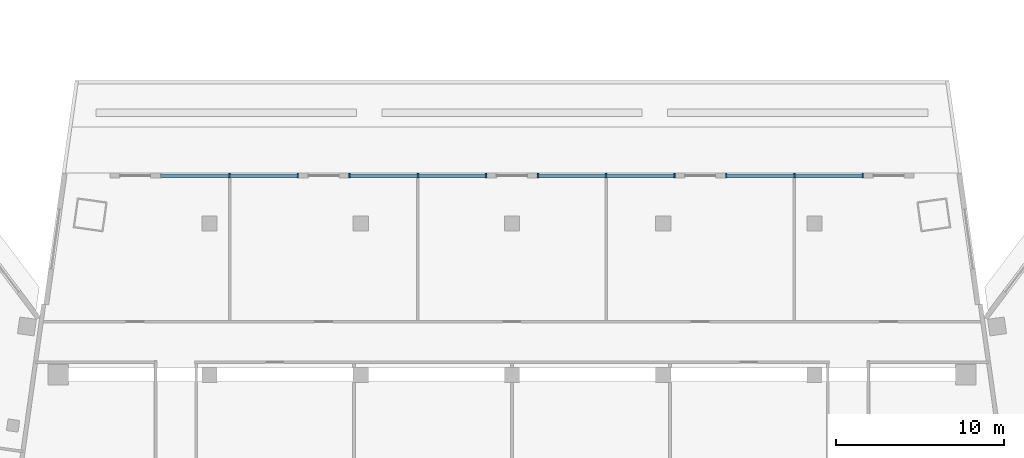
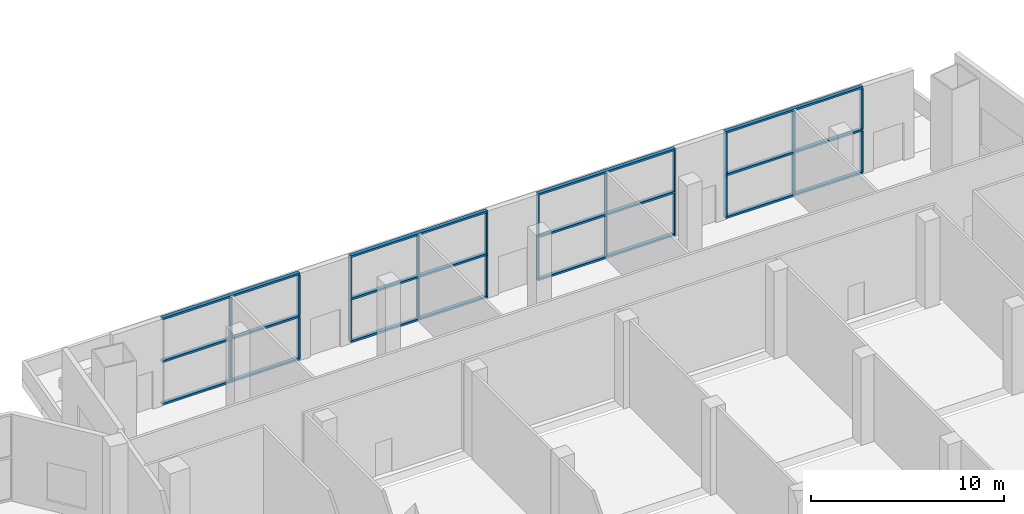
# One storey, part 4 of 24: 34 members, 4 elements without a shape of their own.
"""IFC4 building model written with IfcOpenShell, lengths in metres."""

import ifcopenshell
import ifcopenshell.guid

model = None  # the IFC model being written
_history = None  # IfcOwnerHistory: only IFC2X3 demands one
_inside = {}  # id of a spatial element -> (the spatial element, [elements in it])
_under = {}  # id of a project, library or spatial element -> (it, [spatial elements below it])
_declared = {}  # id of a project -> (the project, [libraries it declares])
_typed = {}  # id of a type object -> (the type object, [elements of that type])
_made_of = {}  # id of a material, layer set ... -> (it, [elements and type objects made of it])


def new_model(schema):
    """Start an empty IFC model of exactly this schema.

    Asked for "IFC4X3", IfcOpenShell would pick the latest addendum, in which some entities
    have other attributes; the version numbers below select the first issue.
    IFC2X3 requires an IfcOwnerHistory on every rooted entity: one is made here for all.
    """
    global model, _history
    if schema == "IFC4X3":
        model = ifcopenshell.file(schema_version=(4, 3, 0, 0))
    else:
        model = ifcopenshell.file(schema=schema)
    _inside.clear()
    _under.clear()
    _declared.clear()
    _typed.clear()
    _made_of.clear()
    _history = None
    if model.schema == "IFC2X3":
        org = make("IfcOrganization", Name="unknown")
        user = make(
            "IfcPersonAndOrganization",
            ThePerson=make("IfcPerson", FamilyName="unknown"),
            TheOrganization=org,
        )
        app = make(
            "IfcApplication",
            ApplicationDeveloper=org,
            Version="unknown",
            ApplicationFullName="unknown",
            ApplicationIdentifier="unknown",
        )
        _history = make(
            "IfcOwnerHistory",
            OwningUser=user,
            OwningApplication=app,
            ChangeAction="ADDED",
            CreationDate=0,
        )
    return model


def make(cls, **values):
    """One entity of the class cls with the attributes given. An attribute that is None is left unset."""
    return model.create_entity(
        cls, **{name: value for name, value in values.items() if value is not None}
    )


def rooted(cls, **values):
    """An entity with a GlobalId (a new one), such as an element, a storey or a relation."""
    return make(cls, GlobalId=ifcopenshell.guid.new(), OwnerHistory=_history, **values)


def si_unit(unit_type, name, prefix=None):
    """IfcSIUnit, for example si_unit("LENGTHUNIT", "METRE", prefix="MILLI")."""
    return make("IfcSIUnit", UnitType=unit_type, Prefix=prefix, Name=name)


def assignment(units):
    """IfcUnitAssignment: the units of a project."""
    return None if units is None else make("IfcUnitAssignment", Units=units)


def point(xyz):
    """IfcCartesianPoint."""
    return None if xyz is None else make("IfcCartesianPoint", Coordinates=xyz)


def direction(xyz):
    """IfcDirection."""
    return None if xyz is None else make("IfcDirection", DirectionRatios=xyz)


def frame(location, z_axis=None, x_axis=None):
    """IfcAxis2Placement3D, a coordinate frame: its origin and axes. An axis left out is left unset."""
    return make(
        "IfcAxis2Placement3D",
        Location=point(location),
        Axis=direction(z_axis),
        RefDirection=direction(x_axis),
    )


def frame_2d(location, x_axis=None):
    """IfcAxis2Placement2D, a coordinate frame in the plane: its origin and x axis."""
    return make(
        "IfcAxis2Placement2D", Location=point(location), RefDirection=direction(x_axis)
    )


def origin():
    """The frame at (0, 0, 0) with its axes left unset."""
    return frame((0.0, 0.0, 0.0))


def origin_2d():
    """The frame at (0, 0) in the plane with its x axis left unset."""
    return frame_2d((0.0, 0.0))


def place(relative_to, where):
    """IfcLocalPlacement: puts the frame where relative to a parent placement (None: the world)."""
    return make(
        "IfcLocalPlacement", PlacementRelTo=relative_to, RelativePlacement=where
    )


def context(
    kind, dimensions, precision=None, world=None, true_north=None, identifier=None
):
    """IfcGeometricRepresentationContext, for example the 3D "Model" context."""
    return make(
        "IfcGeometricRepresentationContext",
        ContextIdentifier=identifier,
        ContextType=kind,
        CoordinateSpaceDimension=dimensions,
        Precision=precision,
        WorldCoordinateSystem=world,
        TrueNorth=true_north,
    )


def subcontext(parent, identifier, kind, view, scale=None):
    """IfcGeometricRepresentationSubContext, for example "Body" below "Model"."""
    return make(
        "IfcGeometricRepresentationSubContext",
        ContextIdentifier=identifier,
        ContextType=kind,
        ParentContext=parent,
        TargetScale=scale,
        TargetView=view,
    )


def project(units=None, contexts=None):
    """IfcProject with its units and contexts."""
    return rooted(
        "IfcProject",
        Name="project",
        RepresentationContexts=contexts,
        UnitsInContext=assignment(units),
    )


def spatial(cls, under=None, at=None, **own):
    """A site, building, storey or space (cls), placed at a placement, below another one or the project."""
    s = rooted(cls, ObjectPlacement=at, **own)
    if under is not None:
        _under.setdefault(under.id(), (under, []))[1].append(s)
    return s


def profile(cls, at=None, kind="AREA", **sizes):
    """A parametric profile (cls). Its sizes go by their IFC names, for example OverallWidth=200.0."""
    return make(cls, ProfileType=kind, Position=at, **sizes)


def rectangle(**sizes):
    """IfcRectangleProfileDef."""
    return profile("IfcRectangleProfileDef", **sizes)


def extrude(swept, where, along, depth):
    """IfcExtrudedAreaSolid: the profile swept, set in the frame where, extruded along a direction by depth."""
    return make(
        "IfcExtrudedAreaSolid",
        SweptArea=swept,
        Position=where,
        ExtrudedDirection=direction(along),
        Depth=depth,
    )


def shape(context_of_items, identifier, shape_type, items):
    """IfcShapeRepresentation: the items that make up one representation, for example the "Body"."""
    return make(
        "IfcShapeRepresentation",
        ContextOfItems=context_of_items,
        RepresentationIdentifier=identifier,
        RepresentationType=shape_type,
        Items=items,
    )


def material(Name=None, Category=None):
    """IfcMaterial."""
    return make("IfcMaterial", Name=Name, Category=Category)


def material_profile(
    of_material, cross_section, Name=None, Category=None, Priority=None
):
    """IfcMaterialProfile: a cross section and its material."""
    return make(
        "IfcMaterialProfile",
        Name=Name,
        Material=of_material,
        Profile=cross_section,
        Priority=Priority,
        Category=Category,
    )


def profile_set(profiles, Name=None, composite=None):
    """IfcMaterialProfileSet."""
    return make(
        "IfcMaterialProfileSet",
        Name=Name,
        MaterialProfiles=profiles,
        CompositeProfile=composite,
    )


def made_of(thing, what):
    """Note that an element or type object is made of a material, layer set ...; save() writes the relation."""
    if what is not None:
        _made_of.setdefault(what.id(), (what, []))[1].append(thing)
    return thing


def type_object(cls, material=None, **own):
    """A type object (cls), such as IfcWallType, which elements share."""
    return made_of(rooted(cls, **own), material)


def element(
    cls,
    number,
    at=None,
    inside=None,
    cuts=None,
    type_object=None,
    material=None,
    context=None,
    identifier="Body",
    shape_type=None,
    held_by="IfcProductDefinitionShape",
    body=None,
    shapes=None,
    **own,
):
    """One element of the class cls, such as IfcWall. Its Tag is "e" and its number.

    at: its placement. inside: the storey or other place that contains it. cuts: it is an
    opening in that element (IfcRelVoidsElement). A single representation is given by context,
    identifier, shape_type and body (its items); several are given by shapes. held_by: the class
    of the entity that holds the representations. save() writes the other relations.
    """
    e = rooted(cls, Tag="e%d" % number, ObjectPlacement=at, **own)
    if body is not None:
        shapes = [shape(context, identifier, shape_type, body)]
    if shapes is not None:
        e.Representation = make(held_by, Representations=shapes)
    if inside is not None:
        _inside.setdefault(inside.id(), (inside, []))[1].append(e)
    if cuts is not None:
        rooted(
            "IfcRelVoidsElement", RelatingBuildingElement=cuts, RelatedOpeningElement=e
        )
    if type_object is not None:
        _typed.setdefault(type_object.id(), (type_object, []))[1].append(e)
    return made_of(e, material)


def aggregate(whole, parts):
    """IfcRelAggregates: a whole, such as a stair, and the parts it consists of."""
    return rooted("IfcRelAggregates", RelatingObject=whole, RelatedObjects=parts)


def save(model, path):
    """Write the relations noted so far, then the file.

    IfcRelAggregates (storeys below a building ...), IfcRelContainedInSpatialStructure (elements
    in a storey), IfcRelDefinesByType, IfcRelAssociatesMaterial and IfcRelDeclares: one each for
    every whole, place, type object, material and project.
    """
    for whole, parts in _under.values():
        aggregate(whole, parts)
    for where, things in _inside.values():
        rooted(
            "IfcRelContainedInSpatialStructure",
            RelatedElements=things,
            RelatingStructure=where,
        )
    for kind, things in _typed.values():
        rooted("IfcRelDefinesByType", RelatedObjects=things, RelatingType=kind)
    for what, things in _made_of.values():
        rooted("IfcRelAssociatesMaterial", RelatedObjects=things, RelatingMaterial=what)
    for by, libraries in _declared.values():
        rooted("IfcRelDeclares", RelatingContext=by, RelatedDefinitions=libraries)
    model.write(path)


model = new_model("IFC4")

# Units and contexts
model_context = context("Model", 3, precision=1e-05, world=origin(), true_north=direction((0.0, 1.0)))
body_context = subcontext(model_context, "Body", "Model", "MODEL_VIEW")
ifc_project = project(units=[si_unit("LENGTHUNIT", "METRE"), si_unit("AREAUNIT", "SQUARE_METRE"), si_unit("VOLUMEUNIT", "CUBIC_METRE"), si_unit("PLANEANGLEUNIT", "RADIAN"), si_unit("MASSUNIT", "GRAM", prefix="KILO")], contexts=[model_context])

# Site, building, storey
site_placement = place(None, origin())
site = spatial("IfcSite", under=ifc_project, at=site_placement, CompositionType="ELEMENT")
building_placement = place(site_placement, origin())
building = spatial("IfcBuilding", under=site, at=building_placement, Name="Mirante Cascada Hotel Towers", CompositionType="ELEMENT")
storey_placement = place(building_placement, frame((0.0, 0.0, 17.5)))
storey = spatial("IfcBuildingStorey", under=building, at=storey_placement, Name="L02", CompositionType="ELEMENT", Elevation=17.5)

# Curtain wall, members
ifc_material_1 = material(Name="Aluminium mullion and transom frame with clear laminated glass", Category="aluminium")
curtain_wall_type = type_object("IfcCurtainWallType", Name="Podium curtain wall ECW3", PredefinedType="NOTDEFINED", material=ifc_material_1)
curtain_wall_1_placement = place(storey_placement, origin())
curtain_wall_1 = element("IfcCurtainWall", 1, at=curtain_wall_1_placement, inside=storey, type_object=curtain_wall_type, Name="Podium curtain wall L02 run 4.2", PredefinedType="NOTDEFINED")
ifc_material_2 = material(Name="Anodised aluminium extrusion", Category="aluminium")
ifc_material_profile_1 = material_profile(ifc_material_2, rectangle(XDim=0.26, YDim=0.08, at=origin_2d()), Name="ECW3 MULLION 80x260")
ifc_profile_set_1 = profile_set([ifc_material_profile_1], Name="Anodised aluminium extrusion")
member_type_1 = type_object("IfcMemberType", Name="ECW3 mullion 80x260", PredefinedType="MULLION", material=ifc_profile_set_1)
member_1_placement = place(storey_placement, frame((20.869, 20.85, 0.12), z_axis=(0.0, 0.0, 1.0), x_axis=(0.0, -1.0, 0.0)))
member_1 = element("IfcMember", 2, at=member_1_placement, type_object=member_type_1, Name="ECW3 mullion 1", PredefinedType="MULLION", context=body_context, shape_type="SweptSolid", body=[
    extrude(rectangle(XDim=0.26, YDim=0.08, at=origin_2d()), origin(), (0.0, 0.0, 1.0), 2.57),
])
member_2_placement = place(storey_placement, frame((20.869, 20.85, 2.81), z_axis=(0.0, 0.0, 1.0), x_axis=(0.0, -1.0, 0.0)))
member_2 = element("IfcMember", 3, at=member_2_placement, type_object=member_type_1, Name="ECW3 mullion 1", PredefinedType="MULLION", context=body_context, shape_type="SweptSolid", body=[
    extrude(rectangle(XDim=0.26, YDim=0.08, at=origin_2d()), origin(), (0.0, 0.0, 1.0), 2.57),
])
member_3_placement = place(storey_placement, frame((16.807, 20.85, 0.12), z_axis=(0.0, 0.0, 1.0), x_axis=(0.0, -1.0, 0.0)))
member_3 = element("IfcMember", 4, at=member_3_placement, type_object=member_type_1, Name="ECW3 mullion 2", PredefinedType="MULLION", context=body_context, shape_type="SweptSolid", body=[
    extrude(rectangle(XDim=0.26, YDim=0.08, at=origin_2d()), origin(), (0.0, 0.0, 1.0), 2.57),
])
member_4_placement = place(storey_placement, frame((16.807, 20.85, 2.81), z_axis=(0.0, 0.0, 1.0), x_axis=(0.0, -1.0, 0.0)))
member_4 = element("IfcMember", 5, at=member_4_placement, type_object=member_type_1, Name="ECW3 mullion 2", PredefinedType="MULLION", context=body_context, shape_type="SweptSolid", body=[
    extrude(rectangle(XDim=0.26, YDim=0.08, at=origin_2d()), origin(), (0.0, 0.0, 1.0), 2.57),
])
member_5_placement = place(storey_placement, frame((12.745, 20.85, 0.12), z_axis=(0.0, 0.0, 1.0), x_axis=(0.0, -1.0, 0.0)))
member_5 = element("IfcMember", 6, at=member_5_placement, type_object=member_type_1, Name="ECW3 mullion 3", PredefinedType="MULLION", context=body_context, shape_type="SweptSolid", body=[
    extrude(rectangle(XDim=0.26, YDim=0.08, at=origin_2d()), origin(), (0.0, 0.0, 1.0), 2.57),
])
member_6_placement = place(storey_placement, frame((12.745, 20.85, 2.81), z_axis=(0.0, 0.0, 1.0), x_axis=(0.0, -1.0, 0.0)))
member_6 = element("IfcMember", 7, at=member_6_placement, type_object=member_type_1, Name="ECW3 mullion 3", PredefinedType="MULLION", context=body_context, shape_type="SweptSolid", body=[
    extrude(rectangle(XDim=0.26, YDim=0.08, at=origin_2d()), origin(), (0.0, 0.0, 1.0), 2.57),
])

curtain_wall_2_placement = place(storey_placement, origin())
curtain_wall_2 = element("IfcCurtainWall", 8, at=curtain_wall_2_placement, inside=storey, type_object=curtain_wall_type, Name="Podium curtain wall L02 run 4.4", PredefinedType="NOTDEFINED")
member_7_placement = place(storey_placement, frame((9.665, 20.85, 0.12), z_axis=(0.0, 0.0, 1.0), x_axis=(0.0, -1.0, 0.0)))
member_7 = element("IfcMember", 9, at=member_7_placement, type_object=member_type_1, Name="ECW3 mullion 1", PredefinedType="MULLION", context=body_context, shape_type="SweptSolid", body=[
    extrude(rectangle(XDim=0.26, YDim=0.08, at=origin_2d()), origin(), (0.0, 0.0, 1.0), 2.57),
])
member_8_placement = place(storey_placement, frame((9.665, 20.85, 2.81), z_axis=(0.0, 0.0, 1.0), x_axis=(0.0, -1.0, 0.0)))
member_8 = element("IfcMember", 10, at=member_8_placement, type_object=member_type_1, Name="ECW3 mullion 1", PredefinedType="MULLION", context=body_context, shape_type="SweptSolid", body=[
    extrude(rectangle(XDim=0.26, YDim=0.08, at=origin_2d()), origin(), (0.0, 0.0, 1.0), 2.57),
])
member_9_placement = place(storey_placement, frame((5.6025, 20.85, 0.12), z_axis=(0.0, 0.0, 1.0), x_axis=(0.0, -1.0, 0.0)))
member_9 = element("IfcMember", 11, at=member_9_placement, type_object=member_type_1, Name="ECW3 mullion 2", PredefinedType="MULLION", context=body_context, shape_type="SweptSolid", body=[
    extrude(rectangle(XDim=0.26, YDim=0.08, at=origin_2d()), origin(), (0.0, 0.0, 1.0), 2.57),
])
member_10_placement = place(storey_placement, frame((5.6025, 20.85, 2.81), z_axis=(0.0, 0.0, 1.0), x_axis=(0.0, -1.0, 0.0)))
member_10 = element("IfcMember", 12, at=member_10_placement, type_object=member_type_1, Name="ECW3 mullion 2", PredefinedType="MULLION", context=body_context, shape_type="SweptSolid", body=[
    extrude(rectangle(XDim=0.26, YDim=0.08, at=origin_2d()), origin(), (0.0, 0.0, 1.0), 2.57),
])
member_11_placement = place(storey_placement, frame((1.54, 20.85, 0.12), z_axis=(0.0, 0.0, 1.0), x_axis=(0.0, -1.0, 0.0)))
member_11 = element("IfcMember", 13, at=member_11_placement, type_object=member_type_1, Name="ECW3 mullion 3", PredefinedType="MULLION", context=body_context, shape_type="SweptSolid", body=[
    extrude(rectangle(XDim=0.26, YDim=0.08, at=origin_2d()), origin(), (0.0, 0.0, 1.0), 2.57),
])
member_12_placement = place(storey_placement, frame((1.54, 20.85, 2.81), z_axis=(0.0, 0.0, 1.0), x_axis=(0.0, -1.0, 0.0)))
member_12 = element("IfcMember", 14, at=member_12_placement, type_object=member_type_1, Name="ECW3 mullion 3", PredefinedType="MULLION", context=body_context, shape_type="SweptSolid", body=[
    extrude(rectangle(XDim=0.26, YDim=0.08, at=origin_2d()), origin(), (0.0, 0.0, 1.0), 2.57),
])

curtain_wall_3_placement = place(storey_placement, origin())
curtain_wall_3 = element("IfcCurtainWall", 15, at=curtain_wall_3_placement, inside=storey, type_object=curtain_wall_type, Name="Podium curtain wall L02 run 4.6", PredefinedType="NOTDEFINED")
member_13_placement = place(storey_placement, frame((-1.54, 20.85, 0.12), z_axis=(0.0, 0.0, 1.0), x_axis=(0.0, -1.0, 0.0)))
member_13 = element("IfcMember", 16, at=member_13_placement, type_object=member_type_1, Name="ECW3 mullion 1", PredefinedType="MULLION", context=body_context, shape_type="SweptSolid", body=[
    extrude(rectangle(XDim=0.26, YDim=0.08, at=origin_2d()), origin(), (0.0, 0.0, 1.0), 2.57),
])
member_14_placement = place(storey_placement, frame((-1.54, 20.85, 2.81), z_axis=(0.0, 0.0, 1.0), x_axis=(0.0, -1.0, 0.0)))
member_14 = element("IfcMember", 17, at=member_14_placement, type_object=member_type_1, Name="ECW3 mullion 1", PredefinedType="MULLION", context=body_context, shape_type="SweptSolid", body=[
    extrude(rectangle(XDim=0.26, YDim=0.08, at=origin_2d()), origin(), (0.0, 0.0, 1.0), 2.57),
])
member_15_placement = place(storey_placement, frame((-5.6025, 20.85, 0.12), z_axis=(0.0, 0.0, 1.0), x_axis=(0.0, -1.0, 0.0)))
member_15 = element("IfcMember", 18, at=member_15_placement, type_object=member_type_1, Name="ECW3 mullion 2", PredefinedType="MULLION", context=body_context, shape_type="SweptSolid", body=[
    extrude(rectangle(XDim=0.26, YDim=0.08, at=origin_2d()), origin(), (0.0, 0.0, 1.0), 2.57),
])
member_16_placement = place(storey_placement, frame((-5.6025, 20.85, 2.81), z_axis=(0.0, 0.0, 1.0), x_axis=(0.0, -1.0, 0.0)))
member_16 = element("IfcMember", 19, at=member_16_placement, type_object=member_type_1, Name="ECW3 mullion 2", PredefinedType="MULLION", context=body_context, shape_type="SweptSolid", body=[
    extrude(rectangle(XDim=0.26, YDim=0.08, at=origin_2d()), origin(), (0.0, 0.0, 1.0), 2.57),
])
member_17_placement = place(storey_placement, frame((-9.665, 20.85, 0.12), z_axis=(0.0, 0.0, 1.0), x_axis=(0.0, -1.0, 0.0)))
member_17 = element("IfcMember", 20, at=member_17_placement, type_object=member_type_1, Name="ECW3 mullion 3", PredefinedType="MULLION", context=body_context, shape_type="SweptSolid", body=[
    extrude(rectangle(XDim=0.26, YDim=0.08, at=origin_2d()), origin(), (0.0, 0.0, 1.0), 2.57),
])
member_18_placement = place(storey_placement, frame((-9.665, 20.85, 2.81), z_axis=(0.0, 0.0, 1.0), x_axis=(0.0, -1.0, 0.0)))
member_18 = element("IfcMember", 21, at=member_18_placement, type_object=member_type_1, Name="ECW3 mullion 3", PredefinedType="MULLION", context=body_context, shape_type="SweptSolid", body=[
    extrude(rectangle(XDim=0.26, YDim=0.08, at=origin_2d()), origin(), (0.0, 0.0, 1.0), 2.57),
])

curtain_wall_4_placement = place(storey_placement, origin())
curtain_wall_4 = element("IfcCurtainWall", 22, at=curtain_wall_4_placement, inside=storey, type_object=curtain_wall_type, Name="Podium curtain wall L02 run 4.8", PredefinedType="NOTDEFINED")
member_19_placement = place(storey_placement, frame((-12.745, 20.85, 0.12), z_axis=(0.0, 0.0, 1.0), x_axis=(0.0, -1.0, 0.0)))
member_19 = element("IfcMember", 23, at=member_19_placement, type_object=member_type_1, Name="ECW3 mullion 1", PredefinedType="MULLION", context=body_context, shape_type="SweptSolid", body=[
    extrude(rectangle(XDim=0.26, YDim=0.08, at=origin_2d()), origin(), (0.0, 0.0, 1.0), 2.57),
])
member_20_placement = place(storey_placement, frame((-12.745, 20.85, 2.81), z_axis=(0.0, 0.0, 1.0), x_axis=(0.0, -1.0, 0.0)))
member_20 = element("IfcMember", 24, at=member_20_placement, type_object=member_type_1, Name="ECW3 mullion 1", PredefinedType="MULLION", context=body_context, shape_type="SweptSolid", body=[
    extrude(rectangle(XDim=0.26, YDim=0.08, at=origin_2d()), origin(), (0.0, 0.0, 1.0), 2.57),
])
member_21_placement = place(storey_placement, frame((-16.807, 20.85, 0.12), z_axis=(0.0, 0.0, 1.0), x_axis=(0.0, -1.0, 0.0)))
member_21 = element("IfcMember", 25, at=member_21_placement, type_object=member_type_1, Name="ECW3 mullion 2", PredefinedType="MULLION", context=body_context, shape_type="SweptSolid", body=[
    extrude(rectangle(XDim=0.26, YDim=0.08, at=origin_2d()), origin(), (0.0, 0.0, 1.0), 2.57),
])
member_22_placement = place(storey_placement, frame((-16.807, 20.85, 2.81), z_axis=(0.0, 0.0, 1.0), x_axis=(0.0, -1.0, 0.0)))
member_22 = element("IfcMember", 26, at=member_22_placement, type_object=member_type_1, Name="ECW3 mullion 2", PredefinedType="MULLION", context=body_context, shape_type="SweptSolid", body=[
    extrude(rectangle(XDim=0.26, YDim=0.08, at=origin_2d()), origin(), (0.0, 0.0, 1.0), 2.57),
])

# Member
ifc_material_3 = material(Name="Anodised aluminium extrusion", Category="aluminium")
ifc_material_profile_2 = material_profile(ifc_material_3, rectangle(XDim=0.22, YDim=0.12, at=origin_2d()), Name="ECW3 TRANSOM 120x220")
ifc_profile_set_2 = profile_set([ifc_material_profile_2], Name="Anodised aluminium extrusion")
member_type_2 = type_object("IfcMemberType", Name="ECW3 transom 120x220", PredefinedType="USERDEFINED", material=ifc_profile_set_2)
member_23_placement = place(storey_placement, frame((20.909, 20.85, 0.06), z_axis=(-1.0, 0.0, 0.0), x_axis=(0.0, -1.0, 0.0)))
member_23 = element("IfcMember", 27, at=member_23_placement, type_object=member_type_2, Name="ECW3 sill transom", ObjectType="TRANSOM", PredefinedType="USERDEFINED", context=body_context, shape_type="SweptSolid", body=[
    extrude(rectangle(XDim=0.22, YDim=0.12, at=origin_2d()), origin(), (0.0, 0.0, 1.0), 8.204),
])

member_24_placement = place(storey_placement, frame((20.909, 20.85, 2.75), z_axis=(-1.0, 0.0, 0.0), x_axis=(0.0, -1.0, 0.0)))
member_24 = element("IfcMember", 28, at=member_24_placement, type_object=member_type_2, Name="ECW3 intermediate transom", ObjectType="TRANSOM", PredefinedType="USERDEFINED", context=body_context, shape_type="SweptSolid", body=[
    extrude(rectangle(XDim=0.22, YDim=0.12, at=origin_2d()), origin(), (0.0, 0.0, 1.0), 8.204),
])

member_25_placement = place(storey_placement, frame((20.909, 20.85, 5.44), z_axis=(-1.0, 0.0, 0.0), x_axis=(0.0, -1.0, 0.0)))
member_25 = element("IfcMember", 29, at=member_25_placement, type_object=member_type_2, Name="ECW3 head transom", ObjectType="TRANSOM", PredefinedType="USERDEFINED", context=body_context, shape_type="SweptSolid", body=[
    extrude(rectangle(XDim=0.22, YDim=0.12, at=origin_2d()), origin(), (0.0, 0.0, 1.0), 8.204),
])

aggregate(curtain_wall_1, [member_23, member_24, member_25, member_1, member_2, member_3, member_4, member_5, member_6])

member_26_placement = place(storey_placement, frame((9.705, 20.85, 0.06), z_axis=(-1.0, 0.0, 0.0), x_axis=(0.0, -1.0, 0.0)))
member_26 = element("IfcMember", 30, at=member_26_placement, type_object=member_type_2, Name="ECW3 sill transom", ObjectType="TRANSOM", PredefinedType="USERDEFINED", context=body_context, shape_type="SweptSolid", body=[
    extrude(rectangle(XDim=0.22, YDim=0.12, at=origin_2d()), origin(), (0.0, 0.0, 1.0), 8.205),
])

member_27_placement = place(storey_placement, frame((9.705, 20.85, 2.75), z_axis=(-1.0, 0.0, 0.0), x_axis=(0.0, -1.0, 0.0)))
member_27 = element("IfcMember", 31, at=member_27_placement, type_object=member_type_2, Name="ECW3 intermediate transom", ObjectType="TRANSOM", PredefinedType="USERDEFINED", context=body_context, shape_type="SweptSolid", body=[
    extrude(rectangle(XDim=0.22, YDim=0.12, at=origin_2d()), origin(), (0.0, 0.0, 1.0), 8.205),
])

member_28_placement = place(storey_placement, frame((9.705, 20.85, 5.44), z_axis=(-1.0, 0.0, 0.0), x_axis=(0.0, -1.0, 0.0)))
member_28 = element("IfcMember", 32, at=member_28_placement, type_object=member_type_2, Name="ECW3 head transom", ObjectType="TRANSOM", PredefinedType="USERDEFINED", context=body_context, shape_type="SweptSolid", body=[
    extrude(rectangle(XDim=0.22, YDim=0.12, at=origin_2d()), origin(), (0.0, 0.0, 1.0), 8.205),
])

aggregate(curtain_wall_2, [member_26, member_27, member_28, member_7, member_8, member_9, member_10, member_11, member_12])

member_29_placement = place(storey_placement, frame((-1.5, 20.85, 0.06), z_axis=(-1.0, 0.0, 0.0), x_axis=(0.0, -1.0, 0.0)))
member_29 = element("IfcMember", 33, at=member_29_placement, type_object=member_type_2, Name="ECW3 sill transom", ObjectType="TRANSOM", PredefinedType="USERDEFINED", context=body_context, shape_type="SweptSolid", body=[
    extrude(rectangle(XDim=0.22, YDim=0.12, at=origin_2d()), origin(), (0.0, 0.0, 1.0), 8.205),
])

member_30_placement = place(storey_placement, frame((-1.5, 20.85, 2.75), z_axis=(-1.0, 0.0, 0.0), x_axis=(0.0, -1.0, 0.0)))
member_30 = element("IfcMember", 34, at=member_30_placement, type_object=member_type_2, Name="ECW3 intermediate transom", ObjectType="TRANSOM", PredefinedType="USERDEFINED", context=body_context, shape_type="SweptSolid", body=[
    extrude(rectangle(XDim=0.22, YDim=0.12, at=origin_2d()), origin(), (0.0, 0.0, 1.0), 8.205),
])

member_31_placement = place(storey_placement, frame((-1.5, 20.85, 5.44), z_axis=(-1.0, 0.0, 0.0), x_axis=(0.0, -1.0, 0.0)))
member_31 = element("IfcMember", 35, at=member_31_placement, type_object=member_type_2, Name="ECW3 head transom", ObjectType="TRANSOM", PredefinedType="USERDEFINED", context=body_context, shape_type="SweptSolid", body=[
    extrude(rectangle(XDim=0.22, YDim=0.12, at=origin_2d()), origin(), (0.0, 0.0, 1.0), 8.205),
])

aggregate(curtain_wall_3, [member_29, member_30, member_31, member_13, member_14, member_15, member_16, member_17, member_18])

member_32_placement = place(storey_placement, frame((-12.705, 20.85, 0.06), z_axis=(-1.0, 0.0, 0.0), x_axis=(0.0, -1.0, 0.0)))
member_32 = element("IfcMember", 36, at=member_32_placement, type_object=member_type_2, Name="ECW3 sill transom", ObjectType="TRANSOM", PredefinedType="USERDEFINED", context=body_context, shape_type="SweptSolid", body=[
    extrude(rectangle(XDim=0.22, YDim=0.12, at=origin_2d()), origin(), (0.0, 0.0, 1.0), 8.204),
])

member_33_placement = place(storey_placement, frame((-12.705, 20.85, 2.75), z_axis=(-1.0, 0.0, 0.0), x_axis=(0.0, -1.0, 0.0)))
member_33 = element("IfcMember", 37, at=member_33_placement, type_object=member_type_2, Name="ECW3 intermediate transom", ObjectType="TRANSOM", PredefinedType="USERDEFINED", context=body_context, shape_type="SweptSolid", body=[
    extrude(rectangle(XDim=0.22, YDim=0.12, at=origin_2d()), origin(), (0.0, 0.0, 1.0), 8.204),
])

member_34_placement = place(storey_placement, frame((-12.705, 20.85, 5.44), z_axis=(-1.0, 0.0, 0.0), x_axis=(0.0, -1.0, 0.0)))
member_34 = element("IfcMember", 38, at=member_34_placement, type_object=member_type_2, Name="ECW3 head transom", ObjectType="TRANSOM", PredefinedType="USERDEFINED", context=body_context, shape_type="SweptSolid", body=[
    extrude(rectangle(XDim=0.22, YDim=0.12, at=origin_2d()), origin(), (0.0, 0.0, 1.0), 8.204),
])

aggregate(curtain_wall_4, [member_32, member_33, member_34, member_19, member_20, member_21, member_22])

save(model, "model.ifc")
